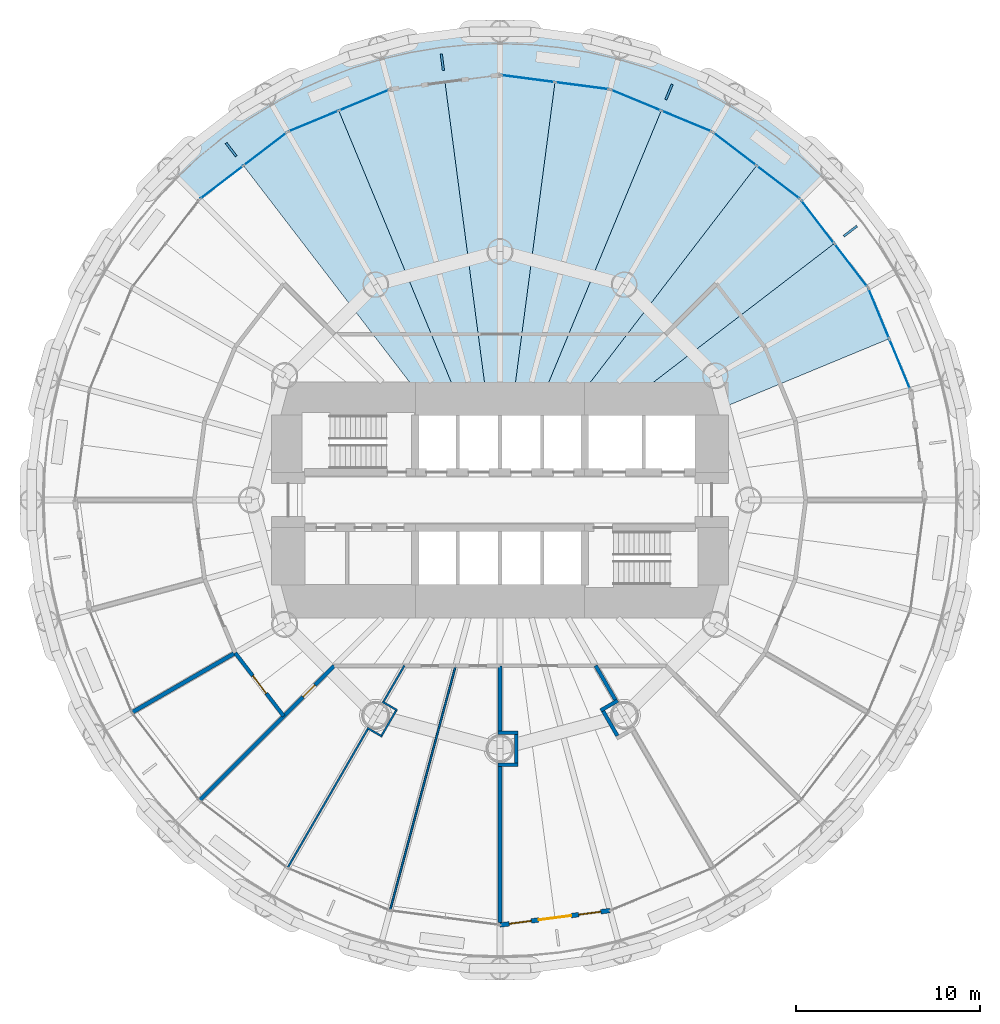
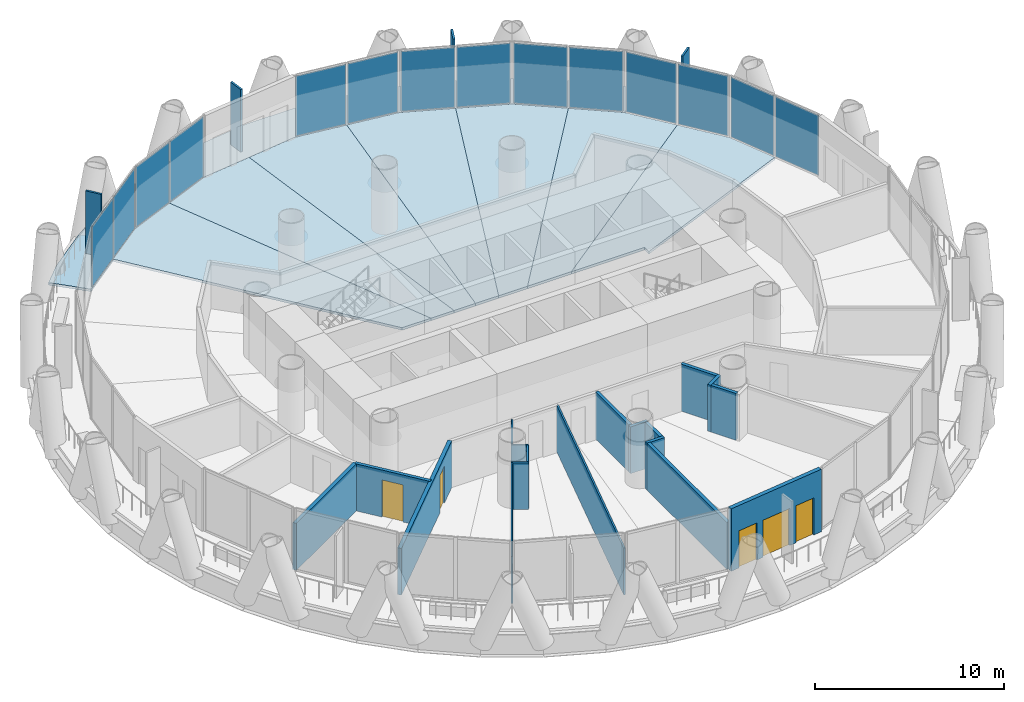
# One storey, part 9 of 16: 18 plates, 18 walls, 8 slabs, 3 doors, 2 windows, 5 openings, 7 elements without a shape of their own.
"""IFC4 building model written with IfcOpenShell, lengths in metres."""

import ifcopenshell
import ifcopenshell.guid

model = None  # the IFC model being written
_history = None  # IfcOwnerHistory: only IFC2X3 demands one
_inside = {}  # id of a spatial element -> (the spatial element, [elements in it])
_under = {}  # id of a project, library or spatial element -> (it, [spatial elements below it])
_declared = {}  # id of a project -> (the project, [libraries it declares])
_typed = {}  # id of a type object -> (the type object, [elements of that type])
_made_of = {}  # id of a material, layer set ... -> (it, [elements and type objects made of it])


def new_model(schema):
    """Start an empty IFC model of exactly this schema.

    Asked for "IFC4X3", IfcOpenShell would pick the latest addendum, in which some entities
    have other attributes; the version numbers below select the first issue.
    IFC2X3 requires an IfcOwnerHistory on every rooted entity: one is made here for all.
    """
    global model, _history
    if schema == "IFC4X3":
        model = ifcopenshell.file(schema_version=(4, 3, 0, 0))
    else:
        model = ifcopenshell.file(schema=schema)
    _inside.clear()
    _under.clear()
    _declared.clear()
    _typed.clear()
    _made_of.clear()
    _history = None
    if model.schema == "IFC2X3":
        org = make("IfcOrganization", Name="unknown")
        user = make(
            "IfcPersonAndOrganization",
            ThePerson=make("IfcPerson", FamilyName="unknown"),
            TheOrganization=org,
        )
        app = make(
            "IfcApplication",
            ApplicationDeveloper=org,
            Version="unknown",
            ApplicationFullName="unknown",
            ApplicationIdentifier="unknown",
        )
        _history = make(
            "IfcOwnerHistory",
            OwningUser=user,
            OwningApplication=app,
            ChangeAction="ADDED",
            CreationDate=0,
        )
    return model


def make(cls, **values):
    """One entity of the class cls with the attributes given. An attribute that is None is left unset."""
    return model.create_entity(
        cls, **{name: value for name, value in values.items() if value is not None}
    )


def rooted(cls, **values):
    """An entity with a GlobalId (a new one), such as an element, a storey or a relation."""
    return make(cls, GlobalId=ifcopenshell.guid.new(), OwnerHistory=_history, **values)


def si_unit(unit_type, name, prefix=None):
    """IfcSIUnit, for example si_unit("LENGTHUNIT", "METRE", prefix="MILLI")."""
    return make("IfcSIUnit", UnitType=unit_type, Prefix=prefix, Name=name)


def assignment(units):
    """IfcUnitAssignment: the units of a project."""
    return None if units is None else make("IfcUnitAssignment", Units=units)


def point(xyz):
    """IfcCartesianPoint."""
    return None if xyz is None else make("IfcCartesianPoint", Coordinates=xyz)


def direction(xyz):
    """IfcDirection."""
    return None if xyz is None else make("IfcDirection", DirectionRatios=xyz)


def frame(location, z_axis=None, x_axis=None):
    """IfcAxis2Placement3D, a coordinate frame: its origin and axes. An axis left out is left unset."""
    return make(
        "IfcAxis2Placement3D",
        Location=point(location),
        Axis=direction(z_axis),
        RefDirection=direction(x_axis),
    )


def frame_2d(location, x_axis=None):
    """IfcAxis2Placement2D, a coordinate frame in the plane: its origin and x axis."""
    return make(
        "IfcAxis2Placement2D", Location=point(location), RefDirection=direction(x_axis)
    )


def origin():
    """The frame at (0, 0, 0) with its axes left unset."""
    return frame((0.0, 0.0, 0.0))


def origin_2d():
    """The frame at (0, 0) in the plane with its x axis left unset."""
    return frame_2d((0.0, 0.0))


def place(relative_to, where):
    """IfcLocalPlacement: puts the frame where relative to a parent placement (None: the world)."""
    return make(
        "IfcLocalPlacement", PlacementRelTo=relative_to, RelativePlacement=where
    )


def context(
    kind, dimensions, precision=None, world=None, true_north=None, identifier=None
):
    """IfcGeometricRepresentationContext, for example the 3D "Model" context."""
    return make(
        "IfcGeometricRepresentationContext",
        ContextIdentifier=identifier,
        ContextType=kind,
        CoordinateSpaceDimension=dimensions,
        Precision=precision,
        WorldCoordinateSystem=world,
        TrueNorth=true_north,
    )


def subcontext(parent, identifier, kind, view, scale=None):
    """IfcGeometricRepresentationSubContext, for example "Body" below "Model"."""
    return make(
        "IfcGeometricRepresentationSubContext",
        ContextIdentifier=identifier,
        ContextType=kind,
        ParentContext=parent,
        TargetScale=scale,
        TargetView=view,
    )


def project(units=None, contexts=None):
    """IfcProject with its units and contexts."""
    return rooted(
        "IfcProject",
        Name="project",
        RepresentationContexts=contexts,
        UnitsInContext=assignment(units),
    )


def spatial(cls, under=None, at=None, **own):
    """A site, building, storey or space (cls), placed at a placement, below another one or the project."""
    s = rooted(cls, ObjectPlacement=at, **own)
    if under is not None:
        _under.setdefault(under.id(), (under, []))[1].append(s)
    return s


def polyline(points):
    """IfcPolyline through the points."""
    return make("IfcPolyline", Points=[point(p) for p in points])


def profile(cls, at=None, kind="AREA", **sizes):
    """A parametric profile (cls). Its sizes go by their IFC names, for example OverallWidth=200.0."""
    return make(cls, ProfileType=kind, Position=at, **sizes)


def rectangle(**sizes):
    """IfcRectangleProfileDef."""
    return profile("IfcRectangleProfileDef", **sizes)


def outline(outer, holes=None, kind="AREA"):
    """IfcArbitraryClosedProfileDef: a profile drawn as a closed curve; with holes, ...WithVoids."""
    if holes is None:
        return make("IfcArbitraryClosedProfileDef", ProfileType=kind, OuterCurve=outer)
    return make(
        "IfcArbitraryProfileDefWithVoids",
        ProfileType=kind,
        OuterCurve=outer,
        InnerCurves=holes,
    )


def extrude(swept, where, along, depth):
    """IfcExtrudedAreaSolid: the profile swept, set in the frame where, extruded along a direction by depth."""
    return make(
        "IfcExtrudedAreaSolid",
        SweptArea=swept,
        Position=where,
        ExtrudedDirection=direction(along),
        Depth=depth,
    )


def shape(context_of_items, identifier, shape_type, items):
    """IfcShapeRepresentation: the items that make up one representation, for example the "Body"."""
    return make(
        "IfcShapeRepresentation",
        ContextOfItems=context_of_items,
        RepresentationIdentifier=identifier,
        RepresentationType=shape_type,
        Items=items,
    )


def material(Name=None, Category=None):
    """IfcMaterial."""
    return make("IfcMaterial", Name=Name, Category=Category)


def layer(
    of_material, thickness, ventilated=None, Name=None, Category=None, Priority=None
):
    """IfcMaterialLayer: one layer of a wall or slab, of a material (None: an air gap)."""
    return make(
        "IfcMaterialLayer",
        Material=of_material,
        LayerThickness=thickness,
        IsVentilated=ventilated,
        Name=Name,
        Category=Category,
        Priority=Priority,
    )


def layer_set(layers, Name=None):
    """IfcMaterialLayerSet."""
    return make("IfcMaterialLayerSet", MaterialLayers=layers, LayerSetName=Name)


def made_of(thing, what):
    """Note that an element or type object is made of a material, layer set ...; save() writes the relation."""
    if what is not None:
        _made_of.setdefault(what.id(), (what, []))[1].append(thing)
    return thing


def type_object(cls, material=None, **own):
    """A type object (cls), such as IfcWallType, which elements share."""
    return made_of(rooted(cls, **own), material)


def element(
    cls,
    number,
    at=None,
    inside=None,
    cuts=None,
    type_object=None,
    material=None,
    context=None,
    identifier="Body",
    shape_type=None,
    held_by="IfcProductDefinitionShape",
    body=None,
    shapes=None,
    **own,
):
    """One element of the class cls, such as IfcWall. Its Tag is "e" and its number.

    at: its placement. inside: the storey or other place that contains it. cuts: it is an
    opening in that element (IfcRelVoidsElement). A single representation is given by context,
    identifier, shape_type and body (its items); several are given by shapes. held_by: the class
    of the entity that holds the representations. save() writes the other relations.
    """
    e = rooted(cls, Tag="e%d" % number, ObjectPlacement=at, **own)
    if body is not None:
        shapes = [shape(context, identifier, shape_type, body)]
    if shapes is not None:
        e.Representation = make(held_by, Representations=shapes)
    if inside is not None:
        _inside.setdefault(inside.id(), (inside, []))[1].append(e)
    if cuts is not None:
        rooted(
            "IfcRelVoidsElement", RelatingBuildingElement=cuts, RelatedOpeningElement=e
        )
    if type_object is not None:
        _typed.setdefault(type_object.id(), (type_object, []))[1].append(e)
    return made_of(e, material)


def fill(opening, filler):
    """IfcRelFillsElement: the door or window that sits in an opening."""
    return rooted(
        "IfcRelFillsElement",
        RelatingOpeningElement=opening,
        RelatedBuildingElement=filler,
    )


def aggregate(whole, parts):
    """IfcRelAggregates: a whole, such as a stair, and the parts it consists of."""
    return rooted("IfcRelAggregates", RelatingObject=whole, RelatedObjects=parts)


def save(model, path):
    """Write the relations noted so far, then the file.

    IfcRelAggregates (storeys below a building ...), IfcRelContainedInSpatialStructure (elements
    in a storey), IfcRelDefinesByType, IfcRelAssociatesMaterial and IfcRelDeclares: one each for
    every whole, place, type object, material and project.
    """
    for whole, parts in _under.values():
        aggregate(whole, parts)
    for where, things in _inside.values():
        rooted(
            "IfcRelContainedInSpatialStructure",
            RelatedElements=things,
            RelatingStructure=where,
        )
    for kind, things in _typed.values():
        rooted("IfcRelDefinesByType", RelatedObjects=things, RelatingType=kind)
    for what, things in _made_of.values():
        rooted("IfcRelAssociatesMaterial", RelatedObjects=things, RelatingMaterial=what)
    for by, libraries in _declared.values():
        rooted("IfcRelDeclares", RelatingContext=by, RelatedDefinitions=libraries)
    model.write(path)


model = new_model("IFC4")

# Units and contexts
model_context = context("Model", 3, precision=1e-05, world=origin(), true_north=direction((0.0, 1.0)))
body_context = subcontext(model_context, "Body", "Model", "MODEL_VIEW")
ifc_project = project(units=[si_unit("LENGTHUNIT", "METRE"), si_unit("AREAUNIT", "SQUARE_METRE"), si_unit("VOLUMEUNIT", "CUBIC_METRE"), si_unit("PLANEANGLEUNIT", "RADIAN"), si_unit("MASSUNIT", "GRAM", prefix="KILO")], contexts=[model_context])

# Site, building, storey
site_placement = place(None, origin())
site = spatial("IfcSite", under=ifc_project, at=site_placement, CompositionType="ELEMENT")
building_placement = place(site_placement, origin())
building = spatial("IfcBuilding", under=site, at=building_placement, Name="Qaws Media Tower", CompositionType="ELEMENT")
storey_placement = place(building_placement, frame((0.0, 0.0, 89.0)))
storey = spatial("IfcBuildingStorey", under=building, at=storey_placement, Name="L19", CompositionType="ELEMENT", Elevation=89.0)

# Slabs
ifc_material_1 = material(Name="Concrete C35/45", Category="concrete")
ifc_layer_1 = layer(ifc_material_1, 0.159912109375)
ifc_layer_set_1 = layer_set([ifc_layer_1], Name="Composite balcony slab 160")
slab_type_1 = type_object("IfcSlabType", Name="Composite balcony slab 160", PredefinedType="FLOOR", material=ifc_layer_set_1)
slab_1_placement = place(storey_placement, frame((0.0, 0.0, -0.159912109375)))
element("IfcSlab", 1, at=slab_1_placement, inside=storey, type_object=slab_type_1, Name="S2 balcony slab L19 R04 to R10, movement joints on R04 and R10", PredefinedType="FLOOR", context=body_context, shape_type="SweptSolid", body=[
    extrude(outline(polyline([(43.203125, 69.153076171875), (45.8466796875, 71.181640625), (48.732666015625, 72.847900390625), (51.811279296875, 74.123046875), (55.030029296875, 74.985595703125), (58.333984375, 75.42041015625), (61.666015625, 75.42041015625), (64.969970703125, 74.985595703125), (68.188720703125, 74.123046875), (71.267333984375, 72.847900390625), (74.1533203125, 71.181640625), (76.796875, 69.153076171875), (77.97509765625, 67.97509765625), (76.31640625, 66.31640625), (71.53759765625, 69.9833984375), (65.97216796875, 72.288818359375), (60.0, 73.074951171875), (54.02783203125, 72.288818359375), (48.46240234375, 69.9833984375), (43.68359375, 66.31640625), (42.02490234375, 67.97509765625), (43.203125, 69.153076171875)])), origin(), (0.0, 0.0, 1.0), 0.159912109375),
])
ifc_material_2 = material(Name="Concrete C35/45", Category="concrete")
ifc_layer_2 = layer(ifc_material_2, 0.159912109375)
ifc_layer_set_2 = layer_set([ifc_layer_2], Name="Composite floor slab 160")
slab_type_2 = type_object("IfcSlabType", Name="Composite floor slab 160", PredefinedType="FLOOR", material=ifc_layer_set_2)
slab_2_placement = place(storey_placement, frame((0.0, 0.0, -0.159912109375)))
element("IfcSlab", 2, at=slab_2_placement, inside=storey, type_object=slab_type_2, Name="S1 floor panel L19 on R03", PredefinedType="FLOOR", context=body_context, shape_type="SweptSolid", body=[
    extrude(outline(polyline([(79.9833984375, 61.53759765625), (81.135986328125, 58.7548828125), (71.0, 54.556396484375), (71.0, 55.0), (66.51611328125, 55.0), (78.14990234375, 63.927001953125), (79.9833984375, 61.53759765625)])), origin(), (0.0, 0.0, 1.0), 0.159912109375),
])
slab_3_placement = place(storey_placement, frame((0.0, 0.0, -0.159912109375)))
element("IfcSlab", 3, at=slab_3_placement, inside=storey, type_object=slab_type_2, Name="S1 floor panel L19 on R04", PredefinedType="FLOOR", context=body_context, shape_type="SweptSolid", body=[
    extrude(outline(polyline([(76.31640625, 66.31640625), (78.14990234375, 63.927001953125), (66.51611328125, 55.0), (63.836669921875, 55.0), (73.927001953125, 68.14990234375), (76.31640625, 66.31640625)])), origin(), (0.0, 0.0, 1.0), 0.159912109375),
])
slab_4_placement = place(storey_placement, frame((0.0, 0.0, -0.159912109375)))
element("IfcSlab", 4, at=slab_4_placement, inside=storey, type_object=slab_type_2, Name="S1 floor panel L19 on R05", PredefinedType="FLOOR", context=body_context, shape_type="SweptSolid", body=[
    extrude(outline(polyline([(71.53759765625, 69.9833984375), (73.927001953125, 68.14990234375), (63.836669921875, 55.0), (62.071044921875, 55.0), (68.7548828125, 71.135986328125), (71.53759765625, 69.9833984375)])), origin(), (0.0, 0.0, 1.0), 0.159912109375),
])
slab_5_placement = place(storey_placement, frame((0.0, 0.0, -0.159912109375)))
element("IfcSlab", 5, at=slab_5_placement, inside=storey, type_object=slab_type_2, Name="S1 floor panel L19 on R06", PredefinedType="FLOOR", context=body_context, shape_type="SweptSolid", body=[
    extrude(outline(polyline([(65.97216796875, 72.288818359375), (68.7548828125, 71.135986328125), (62.071044921875, 55.0), (60.658203125, 55.0), (62.986083984375, 72.681884765625), (65.97216796875, 72.288818359375)])), origin(), (0.0, 0.0, 1.0), 0.159912109375),
])
slab_6_placement = place(storey_placement, frame((0.0, 0.0, -0.159912109375)))
element("IfcSlab", 6, at=slab_6_placement, inside=storey, type_object=slab_type_2, Name="S1 floor panel L19 on R07", PredefinedType="FLOOR", context=body_context, shape_type="SweptSolid", body=[
    extrude(outline(polyline([(60.0, 73.074951171875), (62.986083984375, 72.681884765625), (60.658203125, 55.0), (59.341796875, 55.0), (57.013916015625, 72.681884765625), (60.0, 73.074951171875)])), origin(), (0.0, 0.0, 1.0), 0.159912109375),
])
slab_7_placement = place(storey_placement, frame((0.0, 0.0, -0.159912109375)))
element("IfcSlab", 7, at=slab_7_placement, inside=storey, type_object=slab_type_2, Name="S1 floor panel L19 on R08", PredefinedType="FLOOR", context=body_context, shape_type="SweptSolid", body=[
    extrude(outline(polyline([(54.02783203125, 72.288818359375), (57.013916015625, 72.681884765625), (59.341796875, 55.0), (57.928955078125, 55.0), (51.2451171875, 71.135986328125), (54.02783203125, 72.288818359375)])), origin(), (0.0, 0.0, 1.0), 0.159912109375),
])
slab_8_placement = place(storey_placement, frame((0.0, 0.0, -0.159912109375)))
element("IfcSlab", 8, at=slab_8_placement, inside=storey, type_object=slab_type_2, Name="S1 floor panel L19 on R09", PredefinedType="FLOOR", context=body_context, shape_type="SweptSolid", body=[
    extrude(outline(polyline([(48.46240234375, 69.9833984375), (51.2451171875, 71.135986328125), (57.928955078125, 55.0), (56.163330078125, 55.0), (46.072998046875, 68.14990234375), (48.46240234375, 69.9833984375)])), origin(), (0.0, 0.0, 1.0), 0.159912109375),
])

# Curtain wall, plates
ifc_material_3 = material(Name="Aluminium and clear glass", Category="aluminium")
curtain_wall_type = type_object("IfcCurtainWallType", Name="Unitised curtain wall CW-A", PredefinedType="NOTDEFINED", material=ifc_material_3)
curtain_wall_1_placement = place(storey_placement, origin())
curtain_wall_1 = element("IfcCurtainWall", 9, at=curtain_wall_1_placement, inside=storey, type_object=curtain_wall_type, Name="CWA curtain wall L19-02", PredefinedType="NOTDEFINED")
ifc_material_4 = material(Name="Clear laminated double glazing", Category="glass")
ifc_layer_3 = layer(ifc_material_4, 0.031982421875)
ifc_layer_set_3 = layer_set([ifc_layer_3], Name="Curtain wall glass unit 32")
plate_type_1 = type_object("IfcPlateType", Name="Curtain wall glass unit 32", PredefinedType="CURTAIN_PANEL", material=ifc_layer_set_3)
plate_1_placement = place(storey_placement, frame((81.704833984375, 57.382080078125, 0.080078125), z_axis=(0.0, 0.0, 1.0), x_axis=(-0.382683369704, 0.923879558466, 0.0)))
plate_1 = element("IfcPlate", 10, at=plate_1_placement, type_object=plate_type_1, Name="CWA panel 1.1", PredefinedType="CURTAIN_PANEL", context=body_context, shape_type="SweptSolid", body=[
    extrude(rectangle(XDim=2.891845703125, YDim=0.031982421875, at=origin_2d()), origin(), (0.0, 0.0, 1.0), 3.8798828125),
])
plate_2_placement = place(storey_placement, frame((80.5673828125, 60.127685546875, 0.080078125), z_axis=(0.0, 0.0, 1.0), x_axis=(-0.382683369704, 0.923879558466, 0.0)))
plate_2 = element("IfcPlate", 11, at=plate_2_placement, type_object=plate_type_1, Name="CWA panel 2.1", PredefinedType="CURTAIN_PANEL", context=body_context, shape_type="SweptSolid", body=[
    extrude(rectangle(XDim=2.891845703125, YDim=0.031982421875, at=origin_2d()), origin(), (0.0, 0.0, 1.0), 3.8798828125),
])
aggregate(curtain_wall_1, [plate_1, plate_2])

curtain_wall_2_placement = place(storey_placement, origin())
curtain_wall_2 = element("IfcCurtainWall", 12, at=curtain_wall_2_placement, inside=storey, type_object=curtain_wall_type, Name="CWA curtain wall L19-03", PredefinedType="NOTDEFINED")
plate_3_placement = place(storey_placement, frame((79.0546875, 62.748046875, 0.080078125), z_axis=(0.0, 0.0, 1.0), x_axis=(-0.608761404459, 0.793353359129, 0.0)))
plate_3 = element("IfcPlate", 13, at=plate_3_placement, type_object=plate_type_1, Name="CWA panel 1.1", PredefinedType="CURTAIN_PANEL", context=body_context, shape_type="SweptSolid", body=[
    extrude(rectangle(XDim=2.891845703125, YDim=0.031982421875, at=origin_2d()), origin(), (0.0, 0.0, 1.0), 3.8798828125),
])
plate_4_placement = place(storey_placement, frame((77.245361328125, 65.10595703125, 0.080078125), z_axis=(0.0, 0.0, 1.0), x_axis=(-0.608761404459, 0.793353359129, 0.0)))
plate_4 = element("IfcPlate", 14, at=plate_4_placement, type_object=plate_type_1, Name="CWA panel 2.1", PredefinedType="CURTAIN_PANEL", context=body_context, shape_type="SweptSolid", body=[
    extrude(rectangle(XDim=2.891845703125, YDim=0.031982421875, at=origin_2d()), origin(), (0.0, 0.0, 1.0), 3.8798828125),
])
aggregate(curtain_wall_2, [plate_3, plate_4])

curtain_wall_3_placement = place(storey_placement, origin())
curtain_wall_3 = element("IfcCurtainWall", 15, at=curtain_wall_3_placement, inside=storey, type_object=curtain_wall_type, Name="CWA curtain wall L19-04", PredefinedType="NOTDEFINED")
plate_5_placement = place(storey_placement, frame((75.10595703125, 67.245361328125, 0.080078125), z_axis=(0.0, 0.0, 1.0), x_axis=(-0.793353359129, 0.608761404459, 0.0)))
plate_5 = element("IfcPlate", 16, at=plate_5_placement, type_object=plate_type_1, Name="CWA panel 1.1", PredefinedType="CURTAIN_PANEL", context=body_context, shape_type="SweptSolid", body=[
    extrude(rectangle(XDim=2.891845703125, YDim=0.031982421875, at=origin_2d()), origin(), (0.0, 0.0, 1.0), 3.8798828125),
])
plate_6_placement = place(storey_placement, frame((72.748046875, 69.0546875, 0.080078125), z_axis=(0.0, 0.0, 1.0), x_axis=(-0.793353359129, 0.608761404459, 0.0)))
plate_6 = element("IfcPlate", 17, at=plate_6_placement, type_object=plate_type_1, Name="CWA panel 2.1", PredefinedType="CURTAIN_PANEL", context=body_context, shape_type="SweptSolid", body=[
    extrude(rectangle(XDim=2.891845703125, YDim=0.031982421875, at=origin_2d()), origin(), (0.0, 0.0, 1.0), 3.8798828125),
])
aggregate(curtain_wall_3, [plate_5, plate_6])

curtain_wall_4_placement = place(storey_placement, origin())
curtain_wall_4 = element("IfcCurtainWall", 18, at=curtain_wall_4_placement, inside=storey, type_object=curtain_wall_type, Name="CWA curtain wall L19-05", PredefinedType="NOTDEFINED")
plate_7_placement = place(storey_placement, frame((70.127685546875, 70.5673828125, 0.080078125), z_axis=(0.0, 0.0, 1.0), x_axis=(-0.923879558466, 0.382683369704, 0.0)))
plate_7 = element("IfcPlate", 19, at=plate_7_placement, type_object=plate_type_1, Name="CWA panel 1.1", PredefinedType="CURTAIN_PANEL", context=body_context, shape_type="SweptSolid", body=[
    extrude(rectangle(XDim=2.891845703125, YDim=0.031982421875, at=origin_2d()), origin(), (0.0, 0.0, 1.0), 3.8798828125),
])
plate_8_placement = place(storey_placement, frame((67.382080078125, 71.704833984375, 0.080078125), z_axis=(0.0, 0.0, 1.0), x_axis=(-0.923879558466, 0.382683369704, 0.0)))
plate_8 = element("IfcPlate", 20, at=plate_8_placement, type_object=plate_type_1, Name="CWA panel 2.1", PredefinedType="CURTAIN_PANEL", context=body_context, shape_type="SweptSolid", body=[
    extrude(rectangle(XDim=2.891845703125, YDim=0.031982421875, at=origin_2d()), origin(), (0.0, 0.0, 1.0), 3.8798828125),
])
aggregate(curtain_wall_4, [plate_7, plate_8])

curtain_wall_5_placement = place(storey_placement, origin())
curtain_wall_5 = element("IfcCurtainWall", 21, at=curtain_wall_5_placement, inside=storey, type_object=curtain_wall_type, Name="CWA curtain wall L19-06", PredefinedType="NOTDEFINED")
plate_9_placement = place(storey_placement, frame((64.45947265625, 72.48779296875, 0.080078125), z_axis=(0.0, 0.0, 1.0), x_axis=(-0.991444850569, 0.130526274293, 0.0)))
plate_9 = element("IfcPlate", 22, at=plate_9_placement, type_object=plate_type_1, Name="CWA panel 1.1", PredefinedType="CURTAIN_PANEL", context=body_context, shape_type="SweptSolid", body=[
    extrude(rectangle(XDim=2.891845703125, YDim=0.031982421875, at=origin_2d()), origin(), (0.0, 0.0, 1.0), 3.8798828125),
])
plate_10_placement = place(storey_placement, frame((61.512939453125, 72.875732421875, 0.080078125), z_axis=(0.0, 0.0, 1.0), x_axis=(-0.991444850569, 0.130526274293, 0.0)))
plate_10 = element("IfcPlate", 23, at=plate_10_placement, type_object=plate_type_1, Name="CWA panel 2.1", PredefinedType="CURTAIN_PANEL", context=body_context, shape_type="SweptSolid", body=[
    extrude(rectangle(XDim=2.891845703125, YDim=0.031982421875, at=origin_2d()), origin(), (0.0, 0.0, 1.0), 3.8798828125),
])
aggregate(curtain_wall_5, [plate_9, plate_10])

curtain_wall_6_placement = place(storey_placement, origin())
curtain_wall_6 = element("IfcCurtainWall", 24, at=curtain_wall_6_placement, inside=storey, type_object=curtain_wall_type, Name="CWA curtain wall L19-08", PredefinedType="NOTDEFINED")
plate_11_placement = place(storey_placement, frame((52.617919921875, 71.704833984375, 0.080078125), z_axis=(0.0, 0.0, 1.0), x_axis=(-0.923879558466, -0.382683369704, 0.0)))
plate_11 = element("IfcPlate", 25, at=plate_11_placement, type_object=plate_type_1, Name="CWA panel 1.1", PredefinedType="CURTAIN_PANEL", context=body_context, shape_type="SweptSolid", body=[
    extrude(rectangle(XDim=2.891845703125, YDim=0.031982421875, at=origin_2d()), origin(), (0.0, 0.0, 1.0), 3.8798828125),
])
plate_12_placement = place(storey_placement, frame((49.872314453125, 70.5673828125, 0.080078125), z_axis=(0.0, 0.0, 1.0), x_axis=(-0.923879558466, -0.382683369704, 0.0)))
plate_12 = element("IfcPlate", 26, at=plate_12_placement, type_object=plate_type_1, Name="CWA panel 2.1", PredefinedType="CURTAIN_PANEL", context=body_context, shape_type="SweptSolid", body=[
    extrude(rectangle(XDim=2.891845703125, YDim=0.031982421875, at=origin_2d()), origin(), (0.0, 0.0, 1.0), 3.8798828125),
])
aggregate(curtain_wall_6, [plate_11, plate_12])

curtain_wall_7_placement = place(storey_placement, origin())
curtain_wall_7 = element("IfcCurtainWall", 27, at=curtain_wall_7_placement, inside=storey, type_object=curtain_wall_type, Name="CWA curtain wall L19-09", PredefinedType="NOTDEFINED")
plate_13_placement = place(storey_placement, frame((47.251953125, 69.0546875, 0.080078125), z_axis=(0.0, 0.0, 1.0), x_axis=(-0.793353359129, -0.608761404459, 0.0)))
plate_13 = element("IfcPlate", 28, at=plate_13_placement, type_object=plate_type_1, Name="CWA panel 1.1", PredefinedType="CURTAIN_PANEL", context=body_context, shape_type="SweptSolid", body=[
    extrude(rectangle(XDim=2.891845703125, YDim=0.031982421875, at=origin_2d()), origin(), (0.0, 0.0, 1.0), 3.8798828125),
])
plate_14_placement = place(storey_placement, frame((44.89404296875, 67.245361328125, 0.080078125), z_axis=(0.0, 0.0, 1.0), x_axis=(-0.793353359129, -0.608761404459, 0.0)))
plate_14 = element("IfcPlate", 29, at=plate_14_placement, type_object=plate_type_1, Name="CWA panel 2.1", PredefinedType="CURTAIN_PANEL", context=body_context, shape_type="SweptSolid", body=[
    extrude(rectangle(XDim=2.891845703125, YDim=0.031982421875, at=origin_2d()), origin(), (0.0, 0.0, 1.0), 3.8798828125),
])
aggregate(curtain_wall_7, [plate_13, plate_14])

# Plates
ifc_material_5 = material(Name="Precast concrete screen fin", Category="concrete")
ifc_layer_4 = layer(ifc_material_5, 0.1201171875)
ifc_layer_set_4 = layer_set([ifc_layer_4], Name="Screen fin 120x900")
plate_type_2 = type_object("IfcPlateType", Name="Screen fin 120x900", PredefinedType="USERDEFINED", material=ifc_layer_set_4)
for number, where, z_axis, x_axis, name in (
    (30, (79.020751953125, 64.594970703125, 0.0), (0.0, 0.0, 1.0), (0.793353340291, 0.608761429009, 0.0), "SCR1 screen fin L19-02"),
    (31, (69.1748046875, 72.14990234375, 0.0), (0.0, 0.0, 1.0), (0.382683432365, 0.923879532511, 0.0), "SCR1 screen fin L19-03"),
    (32, (56.87060546875, 73.769775390625, 0.0), (0.0, 0.0, 1.0), (-0.13052619222, 0.991444861374, 0.0), "SCR1 screen fin L19-04"),
    (33, (45.405029296875, 69.020751953125, 0.0), (0.0, 0.0, 1.0), (-0.608761429009, 0.793353340291, 0.0), "SCR1 screen fin L19-05"),
):
    element("IfcPlate", number, at=place(storey_placement, frame(where, z_axis=z_axis, x_axis=x_axis)), inside=storey, type_object=plate_type_2, Name=name, ObjectType="SCREEN", PredefinedType="USERDEFINED", context=body_context, shape_type="SweptSolid", body=[
        extrude(rectangle(XDim=0.89990234375, YDim=0.1201171875, at=origin_2d()), origin(), (0.0, 0.0, 1.0), 4.0400390625),
    ])

# Wall
ifc_material_6 = material(Name="Twin metal stud frames, two layers gypsum board each side, insulated, Rw 55", Category="gypsum")
ifc_layer_5 = layer(ifc_material_6, 0.22509765625)
ifc_layer_set_5 = layer_set([ifc_layer_5], Name="Acoustic twin-stud partition 225 Rw 55")
wall_type_1 = type_object("IfcWallType", Name="Acoustic twin-stud partition 225 Rw 55", PredefinedType="PARTITIONING", material=ifc_layer_set_5)
wall_1_placement = place(storey_placement, frame((45.6240234375, 41.699951171875, 0.0), z_axis=(0.0, 0.0, 1.0), x_axis=(-0.866028272008, -0.499995032058, 0.0)))
element("IfcWall", 34, at=wall_1_placement, inside=storey, type_object=wall_type_1, Name="W087 IW6 partition L19", PredefinedType="PARTITIONING", context=body_context, shape_type="SweptSolid", body=[
    extrude(rectangle(XDim=6.43505859375, YDim=0.22509765625, at=frame_2d((3.217529296875, 0.0))), origin(), (0.0, 0.0, 1.0), 3.0400390625),
])

# Wall, opening, door
wall_2_placement = place(storey_placement, frame((51.0, 41.0, 0.0), z_axis=(0.0, 0.0, 1.0), x_axis=(-0.707106781187, -0.707106781187, 0.0)))
wall_2 = element("IfcWall", 35, at=wall_2_placement, inside=storey, type_object=wall_type_1, Name="W088 IW6 partition L19", PredefinedType="PARTITIONING", context=body_context, shape_type="SweptSolid", body=[
    extrude(rectangle(XDim=10.306884765625, YDim=0.22509765625, at=frame_2d((5.1533203125, 0.0))), origin(), (0.0, 0.0, 1.0), 3.02001953125),
])
opening_1_placement = place(wall_2_placement, frame((1.486083984375, 0.0, 0.0)))
opening_1 = element("IfcOpeningElement", 36, at=opening_1_placement, cuts=wall_2, Name="Opening D12", PredefinedType="OPENING", context=body_context, shape_type="SweptSolid", body=[
    extrude(rectangle(XDim=0.89990234375, YDim=2.39990234375, at=frame_2d((0.449951171875, 1.199951171875))), frame((0.0, 0.12255859375, 0.0), z_axis=(0.0, -1.0, 0.0), x_axis=(1.0, 0.0, 0.0)), (0.0, 0.0, 1.0), 0.2451171875),
])
ifc_material_7 = material(Name="Timber veneered, full height", Category="wood")
door_type_1 = type_object("IfcDoorType", Name="Office door 900x2400", OperationType="SINGLE_SWING_LEFT", PredefinedType="DOOR", material=ifc_material_7)
door_1_placement = place(opening_1_placement, origin())
door_1 = element("IfcDoor", 37, at=door_1_placement, inside=storey, type_object=door_type_1, Name="D12 Editor's office door L19 in wall W088", OperationType="SINGLE_SWING_LEFT", OverallHeight=2.39990234375, OverallWidth=0.89990234375, PredefinedType="DOOR", context=body_context, shape_type="SweptSolid", body=[
    extrude(rectangle(XDim=0.89990234375, YDim=2.39990234375, at=frame_2d((0.449951171875, 1.199951171875))), frame((0.0, 0.02490234375, 0.0), z_axis=(0.0, -1.0, 0.0), x_axis=(1.0, 0.0, 0.0)), (0.0, 0.0, 1.0), 0.050048828125),
])
fill(opening_1, door_1)

# Wall, openings, door, windows
ifc_material_8 = material(Name="Precast concrete, exposed finish", Category="concrete")
ifc_layer_6 = layer(ifc_material_8, 0.25)
ifc_layer_set_6 = layer_set([ifc_layer_6], Name="Balcony door wall 250")
wall_type_2 = type_object("IfcWallType", Name="Balcony door wall 250", PredefinedType="SOLIDWALL", material=ifc_layer_set_6)
wall_3_placement = place(storey_placement, frame((60.0, 26.925048828125, 0.0), z_axis=(0.0, 0.0, 1.0), x_axis=(0.99144739659, 0.130506933898, 0.0)))
wall_3 = element("IfcWall", 38, at=wall_3_placement, inside=storey, type_object=wall_type_2, Name="W158 EW1 balcony door wall L19-19", PredefinedType="SOLIDWALL", context=body_context, shape_type="SweptSolid", body=[
    extrude(rectangle(XDim=6.023681640625, YDim=0.25, at=frame_2d((3.01171875, 0.0))), origin(), (0.0, 0.0, 1.0), 4.0400390625),
])
opening_2_placement = place(wall_3_placement, frame((2.11181640625, 0.0, 0.0)))
opening_2 = element("IfcOpeningElement", 39, at=opening_2_placement, cuts=wall_3, Name="Opening D7", PredefinedType="OPENING", context=body_context, shape_type="SweptSolid", body=[
    extrude(rectangle(XDim=1.800048828125, YDim=2.39990234375, at=frame_2d((0.89990234375, 1.199951171875))), frame((0.0, 0.135009765625, 0.0), z_axis=(0.0, -1.0, 0.0), x_axis=(1.0, 0.0, 0.0)), (0.0, 0.0, 1.0), 0.27001953125),
])
opening_3_placement = place(wall_3_placement, frame((0.511962890625, 0.0, 0.0)))
opening_3 = element("IfcOpeningElement", 40, at=opening_3_placement, cuts=wall_3, Name="Opening W1", PredefinedType="OPENING", context=body_context, shape_type="SweptSolid", body=[
    extrude(rectangle(XDim=1.199951171875, YDim=2.39990234375, at=frame_2d((0.60009765625, 1.199951171875))), frame((0.0, 0.135009765625, 0.0), z_axis=(0.0, -1.0, 0.0), x_axis=(1.0, 0.0, 0.0)), (0.0, 0.0, 1.0), 0.27001953125),
])
opening_4_placement = place(wall_3_placement, frame((4.31201171875, 0.0, 0.0)))
opening_4 = element("IfcOpeningElement", 41, at=opening_4_placement, cuts=wall_3, Name="Opening W1", PredefinedType="OPENING", context=body_context, shape_type="SweptSolid", body=[
    extrude(rectangle(XDim=1.199951171875, YDim=2.39990234375, at=frame_2d((0.60009765625, 1.199951171875))), frame((0.0, 0.135009765625, 0.0), z_axis=(0.0, -1.0, 0.0), x_axis=(1.0, 0.0, 0.0)), (0.0, 0.0, 1.0), 0.27001953125),
])
ifc_material_9 = material(Name="Aluminium and clear glass", Category="aluminium")
door_type_2 = type_object("IfcDoorType", Name="Balcony door pair 1800", OperationType="DOUBLE_DOOR_SLIDING", PredefinedType="DOOR", material=ifc_material_9)
door_2_placement = place(opening_2_placement, origin())
door_2 = element("IfcDoor", 42, at=door_2_placement, inside=storey, type_object=door_type_2, Name="D7 balcony door L19-19 in wall W158", OperationType="DOUBLE_DOOR_SLIDING", OverallHeight=2.39990234375, OverallWidth=1.800048828125, PredefinedType="DOOR", context=body_context, shape_type="SweptSolid", body=[
    extrude(rectangle(XDim=1.800048828125, YDim=2.39990234375, at=frame_2d((0.89990234375, 1.199951171875))), frame((0.0, 0.02490234375, 0.0), z_axis=(0.0, -1.0, 0.0), x_axis=(1.0, 0.0, 0.0)), (0.0, 0.0, 1.0), 0.050048828125),
])
fill(opening_2, door_2)
ifc_material_10 = material(Name="Aluminium and clear glass", Category="aluminium")
window_type = type_object("IfcWindowType", Name="Balcony side window 1200", PartitioningType="SINGLE_PANEL", PredefinedType="WINDOW", material=ifc_material_10)
window_1_placement = place(opening_3_placement, origin())
window_1 = element("IfcWindow", 43, at=window_1_placement, inside=storey, type_object=window_type, Name="W1 balcony side light L19-19L", OverallHeight=2.39990234375, OverallWidth=1.199951171875, PartitioningType="SINGLE_PANEL", PredefinedType="WINDOW", context=body_context, shape_type="SweptSolid", body=[
    extrude(rectangle(XDim=1.199951171875, YDim=2.39990234375, at=frame_2d((0.60009765625, 1.199951171875))), frame((0.0, 0.030029296875, 0.0), z_axis=(0.0, -1.0, 0.0), x_axis=(1.0, 0.0, 0.0)), (0.0, 0.0, 1.0), 0.06005859375),
])
fill(opening_3, window_1)
window_2_placement = place(opening_4_placement, origin())
window_2 = element("IfcWindow", 44, at=window_2_placement, inside=storey, type_object=window_type, Name="W1 balcony side light L19-19R", OverallHeight=2.39990234375, OverallWidth=1.199951171875, PartitioningType="SINGLE_PANEL", PredefinedType="WINDOW", context=body_context, shape_type="SweptSolid", body=[
    extrude(rectangle(XDim=1.199951171875, YDim=2.39990234375, at=frame_2d((0.60009765625, 1.199951171875))), frame((0.0, 0.030029296875, 0.0), z_axis=(0.0, -1.0, 0.0), x_axis=(1.0, 0.0, 0.0)), (0.0, 0.0, 1.0), 0.06005859375),
])
fill(opening_4, window_2)

# Walls
ifc_material_11 = material(Name="Gypsum board on 70 metal studs, single layer each side", Category="gypsum")
ifc_layer_7 = layer(ifc_material_11, 0.10009765625)
ifc_layer_set_7 = layer_set([ifc_layer_7], Name="Office stud partition 100")
wall_type_3 = type_object("IfcWallType", Name="Office stud partition 100", PredefinedType="PARTITIONING", material=ifc_layer_set_7)
for number, where, z_axis, x_axis, name in (
    (45, (53.6171875, 39.044677734375, 0.0), (0.0, 0.0, 1.0), (0.866024034475, -0.500002371706, 0.0), "W648 IW4 partition return L19"),
    (46, (52.796142578125, 37.622802734375, 0.0), (0.0, 0.0, 1.0), (0.866024034475, -0.500002371706, 0.0), "W646 IW4 partition return L19"),
):
    element("IfcWall", number, at=place(storey_placement, frame(where, z_axis=z_axis, x_axis=x_axis)), inside=storey, type_object=wall_type_3, Name=name, PredefinedType="PARTITIONING", context=body_context, shape_type="SweptSolid", body=[
        extrude(rectangle(XDim=0.93115234375, YDim=0.10009765625, at=frame_2d((0.465576171875, 0.0))), origin(), (0.0, 0.0, 1.0), 3.02001953125),
    ])
wall_4_placement = place(storey_placement, frame((54.355224609375, 38.560791015625, 0.0), z_axis=(0.0, 0.0, 1.0), x_axis=(-0.50005597947, -0.86599308161, 0.0)))
element("IfcWall", 47, at=wall_4_placement, inside=storey, type_object=wall_type_3, Name="W649 IW4 partition return L19", PredefinedType="PARTITIONING", context=body_context, shape_type="SweptSolid", body=[
    extrude(rectangle(XDim=1.541748046875, YDim=0.10009765625, at=frame_2d((0.77099609375, 0.0))), origin(), (0.0, 0.0, 1.0), 3.02001953125),
])
wall_5_placement = place(storey_placement, frame((54.81005859375, 41.0107421875, 0.0), z_axis=(0.0, 0.0, 1.0), x_axis=(-0.499991822116, -0.866030125237, 0.0)))
element("IfcWall", 48, at=wall_5_placement, inside=storey, type_object=wall_type_3, Name="W650 IW4 partition L19", PredefinedType="PARTITIONING", context=body_context, shape_type="SweptSolid", body=[
    extrude(rectangle(XDim=2.2490234375, YDim=0.10009765625, at=frame_2d((1.12451171875, 0.0))), origin(), (0.0, 0.0, 1.0), 3.0400390625),
])
wall_6_placement = place(storey_placement, frame((52.814453125, 37.55419921875, 0.0), z_axis=(0.0, 0.0, 1.0), x_axis=(-0.500006217173, -0.866021814268, 0.0)))
element("IfcWall", 49, at=wall_6_placement, inside=storey, type_object=wall_type_3, Name="W652 IW4 partition L19", PredefinedType="PARTITIONING", context=body_context, shape_type="SweptSolid", body=[
    extrude(rectangle(XDim=8.6640625, YDim=0.10009765625, at=frame_2d((4.33203125, 0.0))), origin(), (0.0, 0.0, 1.0), 3.0400390625),
])
wall_7_placement = place(storey_placement, frame((57.587890625, 40.99755859375, 0.0), z_axis=(0.0, 0.0, 1.0), x_axis=(-0.25882802905, -0.965923419003, 0.0)))
element("IfcWall", 50, at=wall_7_placement, inside=storey, type_object=wall_type_3, Name="W653 IW4 partition L19", PredefinedType="PARTITIONING", context=body_context, shape_type="SweptSolid", body=[
    extrude(rectangle(XDim=13.71484375, YDim=0.10009765625, at=frame_2d((6.857421875, 0.0))), origin(), (0.0, 0.0, 1.0), 3.02001953125),
])

# Wall, opening, door
ifc_material_12 = material(Name="Gypsum board on galvanised metal studs, acoustic double stud, deflection head", Category="gypsum")
ifc_layer_8 = layer(ifc_material_12, 0.199951171875)
ifc_layer_set_8 = layer_set([ifc_layer_8], Name="Room partition 200")
wall_type_4 = type_object("IfcWallType", Name="Room partition 200", PredefinedType="PARTITIONING", material=ifc_layer_set_8)
wall_8_placement = place(storey_placement, frame((48.261962890625, 38.261962890625, 0.0), z_axis=(0.0, 0.0, 1.0), x_axis=(-0.60874374674, 0.79336690806, 0.0)))
wall_8 = element("IfcWall", 51, at=wall_8_placement, inside=storey, type_object=wall_type_4, Name="W993 IW3 partition L19", PredefinedType="PARTITIONING", context=body_context, shape_type="SweptSolid", body=[
    extrude(rectangle(XDim=4.33349609375, YDim=0.199951171875, at=frame_2d((2.166748046875, 0.0))), origin(), (0.0, 0.0, 1.0), 3.0400390625),
])
opening_5_placement = place(wall_8_placement, frame((1.566650390625, 0.0, 0.0)))
opening_5 = element("IfcOpeningElement", 52, at=opening_5_placement, cuts=wall_8, Name="Opening D14", PredefinedType="OPENING", context=body_context, shape_type="SweptSolid", body=[
    extrude(rectangle(XDim=1.199951171875, YDim=2.39990234375, at=frame_2d((0.60009765625, 1.199951171875))), frame((0.0, 0.10986328125, 0.0), z_axis=(0.0, -1.0, 0.0), x_axis=(1.0, 0.0, 0.0)), (0.0, 0.0, 1.0), 0.219970703125),
])
ifc_material_13 = material(Name="Steel acoustic door set, Rw 45", Category="steel")
door_type_3 = type_object("IfcDoorType", Name="Acoustic door 1200x2400 Rw 45", OperationType="SINGLE_SWING_LEFT", PredefinedType="DOOR", material=ifc_material_13)
door_3_placement = place(opening_5_placement, origin())
door_3 = element("IfcDoor", 53, at=door_3_placement, inside=storey, type_object=door_type_3, Name="D14 Translation booth door L19 in wall W993", OperationType="SINGLE_SWING_LEFT", OverallHeight=2.39990234375, OverallWidth=1.199951171875, PredefinedType="DOOR", context=body_context, shape_type="SweptSolid", body=[
    extrude(rectangle(XDim=1.199951171875, YDim=2.39990234375, at=frame_2d((0.60009765625, 1.199951171875))), frame((0.0, 0.02490234375, 0.0), z_axis=(0.0, -1.0, 0.0), x_axis=(1.0, 0.0, 0.0)), (0.0, 0.0, 1.0), 0.050048828125),
])
fill(opening_5, door_3)

# Walls
for number, where, z_axis, x_axis, name in (
    (54, (59.89990234375, 37.37109375, 0.0), (0.0, 0.0, 1.0), (1.0, 0.0, 0.0), "W1046 IW3 partition return L19"),
    (55, (59.89990234375, 35.62890625, 0.0), (0.0, 0.0, 1.0), (1.0, 0.0, 0.0), "W1045 IW3 partition return L19"),
):
    element("IfcWall", number, at=place(storey_placement, frame(where, z_axis=z_axis, x_axis=x_axis)), inside=storey, type_object=wall_type_4, Name=name, PredefinedType="PARTITIONING", context=body_context, shape_type="SweptSolid", body=[
        extrude(rectangle(XDim=1.0810546875, YDim=0.199951171875, at=frame_2d((0.54052734375, 0.0))), origin(), (0.0, 0.0, 1.0), 3.02001953125),
    ])
wall_9_placement = place(storey_placement, frame((60.881103515625, 37.27099609375, 0.0), z_axis=(0.0, 0.0, 1.0), x_axis=(0.0, -1.0, 0.0)))
element("IfcWall", 56, at=wall_9_placement, inside=storey, type_object=wall_type_4, Name="W1049 IW3 partition return L19", PredefinedType="PARTITIONING", context=body_context, shape_type="SweptSolid", body=[
    extrude(rectangle(XDim=1.5419921875, YDim=0.199951171875, at=frame_2d((0.77099609375, 0.0))), origin(), (0.0, 0.0, 1.0), 3.02001953125),
])
wall_10_placement = place(storey_placement, frame((60.0, 41.0, 0.0), z_axis=(0.0, 0.0, 1.0), x_axis=(0.0, -1.0, 0.0)))
element("IfcWall", 57, at=wall_10_placement, inside=storey, type_object=wall_type_4, Name="W1102 IW3 partition L19", PredefinedType="PARTITIONING", context=body_context, shape_type="SweptSolid", body=[
    extrude(rectangle(XDim=3.529052734375, YDim=0.199951171875, at=frame_2d((1.7646484375, 0.0))), origin(), (0.0, 0.0, 1.0), 3.0400390625),
])
wall_11_placement = place(storey_placement, frame((60.0, 35.529052734375, 0.0), z_axis=(0.0, 0.0, 1.0), x_axis=(0.0, -1.0, 0.0)))
element("IfcWall", 58, at=wall_11_placement, inside=storey, type_object=wall_type_4, Name="W1108 IW3 partition L19", PredefinedType="PARTITIONING", context=body_context, shape_type="SweptSolid", body=[
    extrude(rectangle(XDim=8.464111328125, YDim=0.199951171875, at=frame_2d((4.23193359375, 0.0))), origin(), (0.0, 0.0, 1.0), 3.0400390625),
])
wall_12_placement = place(storey_placement, frame((66.401123046875, 39.113037109375, 0.0), z_axis=(0.0, 0.0, 1.0), x_axis=(-0.86603892542, -0.499976579108, 0.0)))
element("IfcWall", 59, at=wall_12_placement, inside=storey, type_object=wall_type_4, Name="W1027 IW3 partition return L19", PredefinedType="PARTITIONING", context=body_context, shape_type="SweptSolid", body=[
    extrude(rectangle(XDim=1.0810546875, YDim=0.199951171875, at=frame_2d((0.54052734375, 0.0))), origin(), (0.0, 0.0, 1.0), 3.02001953125),
])
wall_13_placement = place(storey_placement, frame((65.6015625, 38.535888671875, 0.0), z_axis=(0.0, 0.0, 1.0), x_axis=(0.499987416453, -0.866032668777, 0.0)))
element("IfcWall", 60, at=wall_13_placement, inside=storey, type_object=wall_type_4, Name="W1026 IW3 partition return L19", PredefinedType="PARTITIONING", context=body_context, shape_type="SweptSolid", body=[
    extrude(rectangle(XDim=1.5419921875, YDim=0.199951171875, at=frame_2d((0.77099609375, 0.0))), origin(), (0.0, 0.0, 1.0), 3.02001953125),
])
wall_14_placement = place(storey_placement, frame((65.18994140625, 41.0107421875, 0.0), z_axis=(0.0, 0.0, 1.0), x_axis=(0.499987977232, -0.866032345022, 0.0)))
element("IfcWall", 61, at=wall_14_placement, inside=storey, type_object=wall_type_4, Name="W1025 IW3 partition L19", PredefinedType="PARTITIONING", context=body_context, shape_type="SweptSolid", body=[
    extrude(rectangle(XDim=2.14892578125, YDim=0.199951171875, at=frame_2d((1.074462890625, 0.0))), origin(), (0.0, 0.0, 1.0), 3.0400390625),
])

save(model, "model.ifc")
